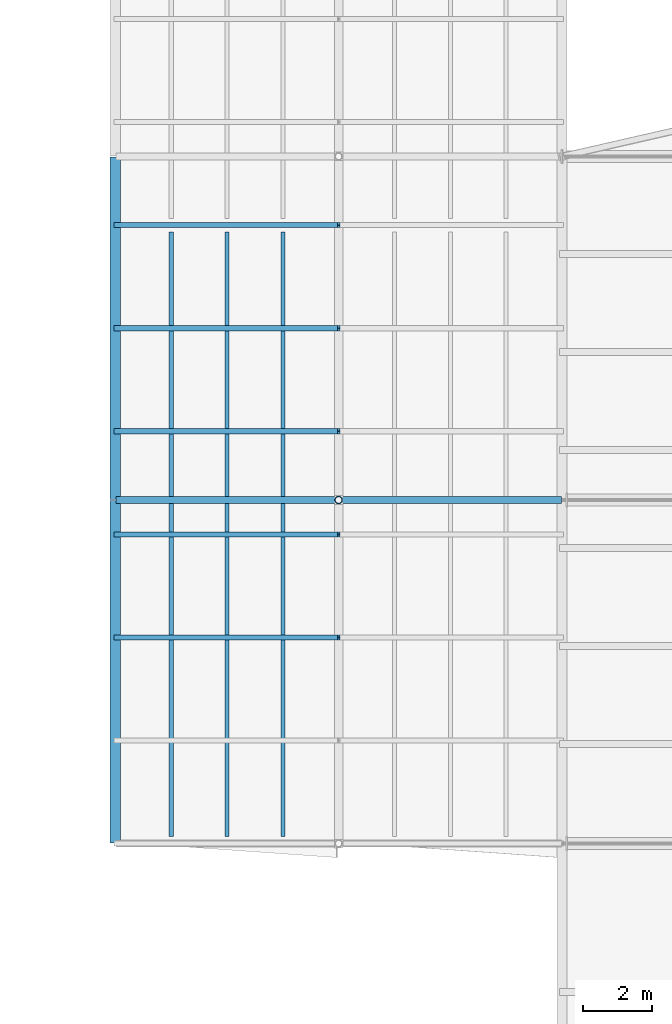
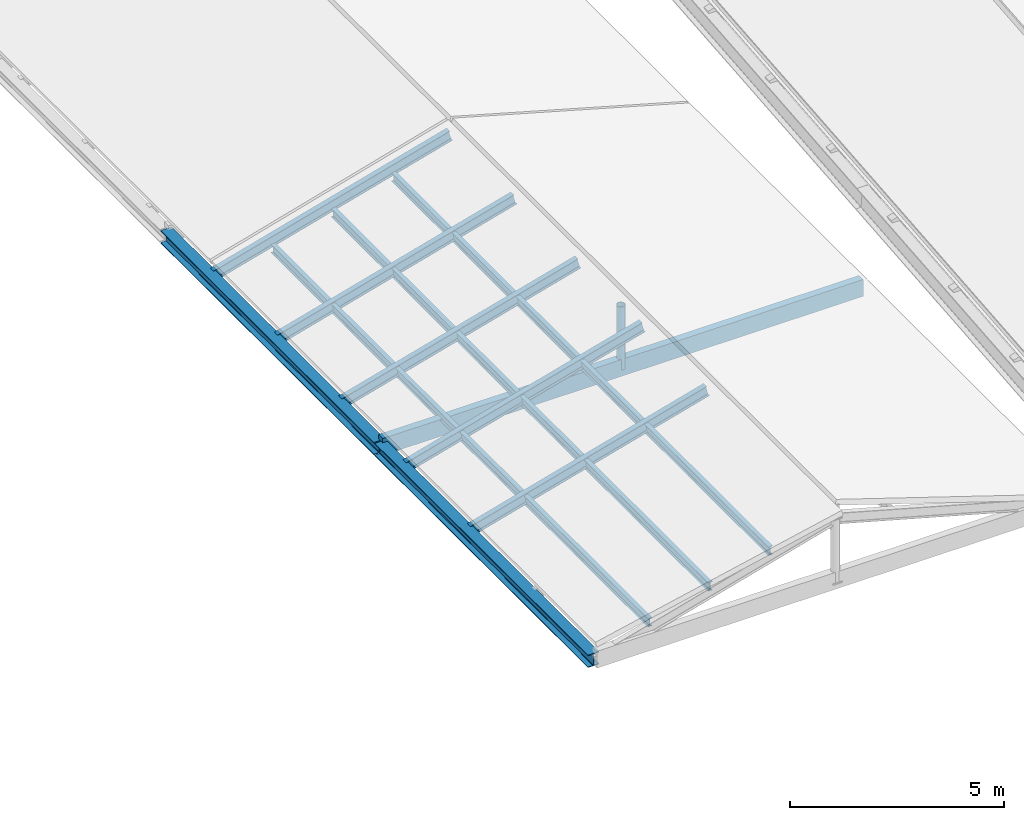
# One storey, part 45 of 90: 9 members, 3 beams.
"""IFC4 building model written with IfcOpenShell, lengths in metres."""

from ifc_helpers import new_model, si_unit, direction, frame, origin, origin_2d, place, context, subcontext, project, spatial, rectangle, hollow_circle, i_section, extrude, material, material_profile, profile_set, type_object, element, save


model = new_model("IFC4")

# Units and contexts
model_context = context("Model", 3, precision=1e-05, world=origin(), true_north=direction((0.0, 1.0)))
body_context = subcontext(model_context, "Body", "Model", "MODEL_VIEW")
ifc_project = project(units=[si_unit("LENGTHUNIT", "METRE"), si_unit("AREAUNIT", "SQUARE_METRE"), si_unit("VOLUMEUNIT", "CUBIC_METRE"), si_unit("PLANEANGLEUNIT", "RADIAN"), si_unit("MASSUNIT", "GRAM", prefix="KILO"), si_unit("THERMODYNAMICTEMPERATUREUNIT", "KELVIN"), si_unit("POWERUNIT", "WATT")], contexts=[model_context])

# Site, building, storey
site_placement = place(None, origin())
site = spatial("IfcSite", under=ifc_project, at=site_placement, CompositionType="ELEMENT")
building_placement = place(site_placement, origin())
building = spatial("IfcBuilding", under=site, at=building_placement, Name="Korenveer Ferry Terminal", CompositionType="ELEMENT")
storey_placement = place(building_placement, frame((0.0, 0.0, 22.199951171875)))
storey = spatial("IfcBuildingStorey", under=building, at=storey_placement, Name="RF", CompositionType="ELEMENT", Elevation=22.199951171875)

# Beams
ifc_material_1 = material(Name="Steel S355", Category="steel")
ifc_material_profile_1 = material_profile(ifc_material_1, i_section(OverallWidth=0.300048828125, OverallDepth=0.360107421875, WebThickness=0.012451171875, FlangeThickness=0.0224609375, FilletRadius=0.027099609375, at=origin_2d()), Name="HEB 360")
ifc_profile_set_1 = profile_set([ifc_material_profile_1], Name="Steel S355")
beam_type_1 = type_object("IfcBeamType", Name="STR-BM-HEB360", PredefinedType="BEAM", material=ifc_profile_set_1)
for number, where, z_axis, x_axis, name in (
    (1, (40.0, 80.02001953125, -7.619873046875), (0.0, 1.0, 0.0), (-1.0, 0.0, 0.0), "Wing eave beam PIERW 191"),
    (2, (40.0, 90.02001953125, -7.619873046875), (0.0, 1.0, 0.0), (-1.0, 0.0, 0.0), "Wing eave beam PIERW 192"),
):
    element("IfcBeam", number, at=place(storey_placement, frame(where, z_axis=z_axis, x_axis=x_axis)), inside=storey, type_object=beam_type_1, Name=name, PredefinedType="BEAM", context=body_context, shape_type="SweptSolid", body=[
        extrude(i_section(OverallWidth=0.300048828125, OverallDepth=0.360107421875, WebThickness=0.012451171875, FlangeThickness=0.0224609375, FilletRadius=0.027099609375, at=origin_2d()), origin(), (0.0, 0.0, 1.0), 9.9599609375),
    ])

# Members
ifc_material_profile_2 = material_profile(ifc_material_1, i_section(OverallWidth=0.1201171875, OverallDepth=0.239990234375, WebThickness=0.006103515625, FlangeThickness=0.009765625, FilletRadius=0.014892578125, at=origin_2d()), Name="IPE 240")
ifc_profile_set_2 = profile_set([ifc_material_profile_2], Name="Steel S355")
member_type_1 = type_object("IfcMemberType", Name="STR-PUR-IPE240", PredefinedType="PURLIN", material=ifc_profile_set_2)
for number, where, z_axis, x_axis, name in (
    (3, (41.625, 80.199951171875, -7.22998046875), (0.0, 1.0, 0.0), (-1.0, 0.0, 0.0), "Pitched wing roof steel purlin 301"),
    (4, (43.25, 80.199951171875, -6.780029296875), (0.0, 1.0, 0.0), (-1.0, 0.0, 0.0), "Pitched wing roof steel purlin 303"),
    (5, (44.875, 80.199951171875, -6.329833984375), (0.0, 1.0, 0.0), (-1.0, 0.0, 0.0), "Pitched wing roof steel purlin 305"),
):
    element("IfcMember", number, at=place(storey_placement, frame(where, z_axis=z_axis, x_axis=x_axis)), inside=storey, type_object=member_type_1, Name=name, PredefinedType="PURLIN", context=body_context, shape_type="SweptSolid", body=[
        extrude(i_section(OverallWidth=0.1201171875, OverallDepth=0.239990234375, WebThickness=0.006103515625, FlangeThickness=0.009765625, FilletRadius=0.014892578125, at=origin_2d()), origin(), (0.0, 0.0, 1.0), 17.60009765625),
    ])
ifc_material_profile_3 = material_profile(ifc_material_1, i_section(OverallWidth=0.14990234375, OverallDepth=0.300048828125, WebThickness=0.007080078125, FlangeThickness=0.0107421875, FilletRadius=0.014892578125, at=origin_2d()), Name="IPE 300")
ifc_profile_set_3 = profile_set([ifc_material_profile_3], Name="Steel S355")
member_type_2 = type_object("IfcMemberType", Name="STR-RAF-IPE300", PredefinedType="RAFTER", material=ifc_profile_set_3)
for number, where, z_axis, x_axis, name in (
    (6, (40.0, 86.0, -7.619873046875), (0.963737469599, 0.0, 0.26685218697), (0.0, 1.0, 0.0), "Pitched roof rafter 133"),
    (7, (40.0, 89.0, -7.619873046875), (0.963737469599, 0.0, 0.26685218697), (0.0, 1.0, 0.0), "Pitched roof rafter 135"),
    (8, (40.0, 92.0, -7.619873046875), (0.963737469599, 0.0, 0.26685218697), (0.0, 1.0, 0.0), "Pitched roof rafter 137"),
    (9, (40.0, 95.0, -7.619873046875), (0.963737469599, 0.0, 0.26685218697), (0.0, 1.0, 0.0), "Pitched roof rafter 139"),
    (10, (40.0, 98.0, -7.619873046875), (0.963737469599, 0.0, 0.26685218697), (0.0, 1.0, 0.0), "Pitched roof rafter 141"),
):
    element("IfcMember", number, at=place(storey_placement, frame(where, z_axis=z_axis, x_axis=x_axis)), inside=storey, type_object=member_type_2, Name=name, PredefinedType="RAFTER", context=body_context, shape_type="SweptSolid", body=[
        extrude(i_section(OverallWidth=0.14990234375, OverallDepth=0.300048828125, WebThickness=0.007080078125, FlangeThickness=0.0107421875, FilletRadius=0.014892578125, at=origin_2d()), origin(), (0.0, 0.0, 1.0), 6.74462890625),
    ])

# Beam
ifc_material_2 = material(Name="Glulam GL28h", Category="wood")
ifc_material_profile_4 = material_profile(ifc_material_2, rectangle(XDim=0.199951171875, YDim=0.47998046875, at=origin_2d()), Name="GL 200x480")
ifc_profile_set_4 = profile_set([ifc_material_profile_4], Name="Glulam GL28h")
beam_type_2 = type_object("IfcBeamType", Name="STR-RFG-GL200", PredefinedType="USERDEFINED", material=ifc_profile_set_4)
beam_placement = place(storey_placement, frame((40.02001953125, 90.0, -7.56005859375), z_axis=(1.0, 0.0, 0.0), x_axis=(0.0, 1.0, 0.0)))
element("IfcBeam", 11, at=beam_placement, inside=storey, type_object=beam_type_2, Name="Wing roof collar tie PIERW 201", ObjectType="ROOF GIRDER", PredefinedType="USERDEFINED", context=body_context, shape_type="SweptSolid", body=[
    extrude(rectangle(XDim=0.199951171875, YDim=0.47998046875, at=origin_2d()), origin(), (0.0, 0.0, 1.0), 12.9599609375),
])

# Member
ifc_material_profile_5 = material_profile(ifc_material_1, hollow_circle(Radius=0.109619140625, WallThickness=0.012451171875, at=origin_2d()), Name="CHS 219.1x12.5")
ifc_profile_set_5 = profile_set([ifc_material_profile_5], Name="Steel S355")
member_type_3 = type_object("IfcMemberType", Name="STR-STT-CHS219", PredefinedType="STRUT", material=ifc_profile_set_5)
member_placement = place(storey_placement, frame((46.5, 90.0, -7.619873046875), z_axis=(0.0, 0.0, 1.0), x_axis=(1.0, 0.0, 0.0)))
element("IfcMember", 12, at=member_placement, inside=storey, type_object=member_type_3, Name="Wing ridge strut STTWR-PIERW-Y90", PredefinedType="STRUT", context=body_context, shape_type="SweptSolid", body=[
    extrude(hollow_circle(Radius=0.109619140625, WallThickness=0.012451171875, at=origin_2d()), origin(), (0.0, 0.0, 1.0), 1.7998046875),
])

save(model, "model.ifc")
